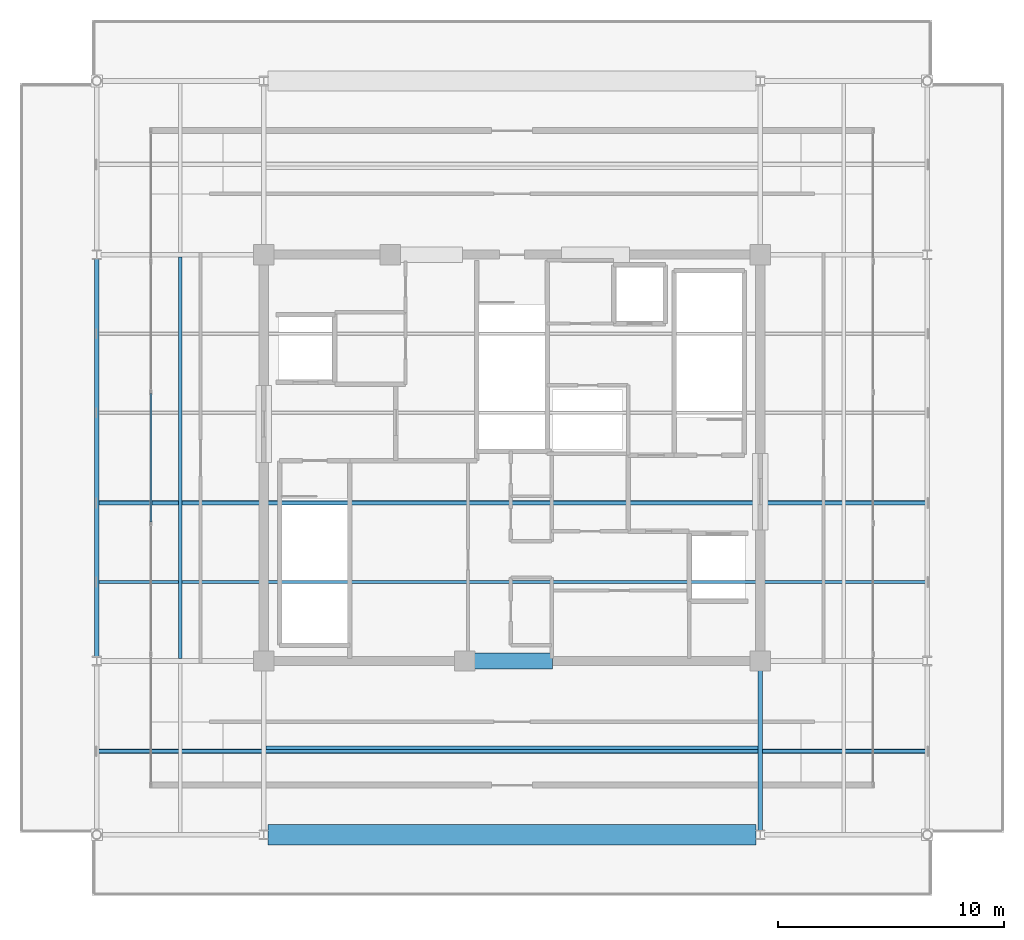
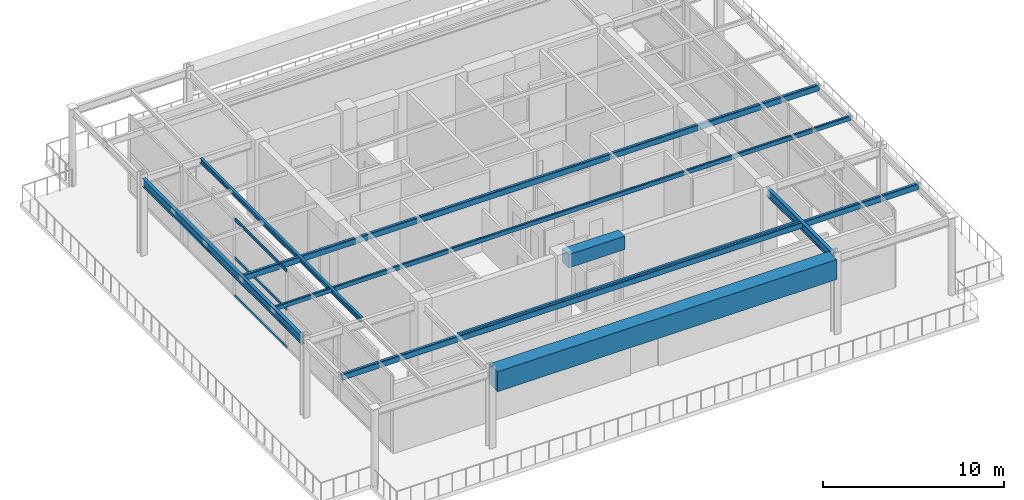
# One storey, part 3 of 16: 6 beams, 6 members, 1 element without a shape of its own.
"""IFC4 building model written with IfcOpenShell, lengths in metres."""

from ifc_helpers import new_model, si_unit, direction, frame, origin, origin_2d, place, context, subcontext, project, spatial, rectangle, hollow_rectangle, i_section, extrude, material, material_profile, profile_set, type_object, element, aggregate, save


model = new_model("IFC4")

# Units and contexts
model_context = context("Model", 3, precision=1e-05, world=origin(), true_north=direction((0.0, 1.0)))
body_context = subcontext(model_context, "Body", "Model", "MODEL_VIEW")
ifc_project = project(units=[si_unit("LENGTHUNIT", "METRE"), si_unit("AREAUNIT", "SQUARE_METRE"), si_unit("VOLUMEUNIT", "CUBIC_METRE"), si_unit("PLANEANGLEUNIT", "RADIAN"), si_unit("MASSUNIT", "GRAM", prefix="KILO")], contexts=[model_context])

# Site, building, storey
site_placement = place(None, origin())
site = spatial("IfcSite", under=ifc_project, at=site_placement, CompositionType="ELEMENT")
building_placement = place(site_placement, origin())
building = spatial("IfcBuilding", under=site, at=building_placement, Name="Kovane Verandah Tower", CompositionType="ELEMENT")
storey_placement = place(building_placement, frame((0.0, 0.0, 354.300048828125)))
storey = spatial("IfcBuildingStorey", under=building, at=storey_placement, Name="L82", CompositionType="ELEMENT", Elevation=354.300048828125)

# Beams
ifc_material_1 = material(Name="Concrete C60/75", Category="concrete")
ifc_material_profile_1 = material_profile(ifc_material_1, rectangle(XDim=0.699951171875, YDim=0.89990234375, at=origin_2d()), Name="RCB700x900")
ifc_profile_set_1 = profile_set([ifc_material_profile_1], Name="Concrete C60/75")
beam_type_1 = type_object("IfcBeamType", Name="BM-LINTEL-700x900", PredefinedType="LINTEL", material=ifc_profile_set_1)
beam_1_placement = place(storey_placement, frame((38.199951171875, 18.5, 4.7900390625), z_axis=(1.0, 0.0, 0.0), x_axis=(0.0, 1.0, 0.0)))
element("IfcBeam", 1, at=beam_1_placement, inside=storey, type_object=beam_type_1, Name="L82 Core Coupling Lintel CL-S", PredefinedType="LINTEL", context=body_context, shape_type="SweptSolid", body=[
    extrude(rectangle(XDim=0.699951171875, YDim=0.89990234375, at=origin_2d()), origin(), (0.0, 0.0, 1.0), 3.60009765625),
])
ifc_material_2 = material(Name="Concrete C80/95", Category="concrete")
ifc_material_profile_2 = material_profile(ifc_material_2, rectangle(XDim=0.89990234375, YDim=1.35009765625, at=origin_2d()), Name="RCB900x1350")
ifc_profile_set_2 = profile_set([ifc_material_profile_2], Name="Concrete C80/95")
beam_type_2 = type_object("IfcBeamType", Name="BM-TR-900x1350", PredefinedType="BEAM", material=ifc_profile_set_2)
beam_2_placement = place(storey_placement, frame((29.179931640625, 10.800048828125, 4.56494140625), z_axis=(1.0, 0.0, 0.0), x_axis=(0.0, 1.0, 0.0)))
element("IfcBeam", 2, at=beam_2_placement, inside=storey, type_object=beam_type_2, Name="L82 Primary Tower Girder G-RS2", PredefinedType="BEAM", context=body_context, shape_type="SweptSolid", body=[
    extrude(rectangle(XDim=0.89990234375, YDim=1.35009765625, at=origin_2d()), origin(), (0.0, 0.0, 1.0), 21.64013671875),
])
ifc_material_3 = material(Name="Steel S355", Category="steel")
ifc_material_profile_3 = material_profile(ifc_material_3, i_section(OverallWidth=0.2119140625, OverallDepth=0.54443359375, WebThickness=0.0126953125, FlangeThickness=0.021240234375, FilletRadius=0.0126953125, at=origin_2d()), Name="UB533x210x122")
ifc_profile_set_3 = profile_set([ifc_material_profile_3], Name="Steel S355")
beam_type_3 = type_object("IfcBeamType", Name="BM-UB533x122", PredefinedType="BEAM", material=ifc_profile_set_3)
beam_3_placement = place(storey_placement, frame((21.60009765625, 18.679931640625, 4.9677734375), z_axis=(0.0, 1.0, 0.0), x_axis=(-1.0, 0.0, 0.0)))
element("IfcBeam", 3, at=beam_3_placement, inside=storey, type_object=beam_type_3, Name="L82 Primary Tower Girder G-RW2", PredefinedType="BEAM", context=body_context, shape_type="SweptSolid", body=[
    extrude(i_section(OverallWidth=0.2119140625, OverallDepth=0.54443359375, WebThickness=0.0126953125, FlangeThickness=0.021240234375, FilletRadius=0.0126953125, at=origin_2d()), origin(), (0.0, 0.0, 1.0), 17.64013671875),
])
beam_4_placement = place(storey_placement, frame((51.0, 18.320068359375, 4.9677734375), z_axis=(0.0, -1.0, 0.0), x_axis=(1.0, 0.0, 0.0)))
element("IfcBeam", 4, at=beam_4_placement, inside=storey, type_object=beam_type_3, Name="L82 Primary Tower Girder G-S2", PredefinedType="BEAM", context=body_context, shape_type="SweptSolid", body=[
    extrude(i_section(OverallWidth=0.2119140625, OverallDepth=0.54443359375, WebThickness=0.0126953125, FlangeThickness=0.021240234375, FilletRadius=0.0126953125, at=origin_2d()), origin(), (0.0, 0.0, 1.0), 7.340087890625),
])

# Curtain wall, members
ifc_material_4 = material(Name="Champagne Anodised Aluminium Frame with Low-E Clear Laminated Glass", Category="aluminium")
curtain_wall_type = type_object("IfcCurtainWallType", Name="CW-SYS-06-CROWN", PredefinedType="NOTDEFINED", material=ifc_material_4)
curtain_wall_placement = place(storey_placement, origin())
curtain_wall = element("IfcCurtainWall", 5, at=curtain_wall_placement, inside=storey, type_object=curtain_wall_type, Name="L82 Crown Enclosure Curtain Wall W", PredefinedType="NOTDEFINED")
ifc_material_5 = material(Name="Champagne Anodised Aluminium 6063-T6", Category="aluminium")
ifc_material_profile_4 = material_profile(ifc_material_5, hollow_rectangle(XDim=0.0849609375, YDim=0.18994140625, WallThickness=0.00390625, at=origin_2d()), Name="AL85x190x4")
ifc_profile_set_4 = profile_set([ifc_material_profile_4], Name="Champagne Anodised Aluminium 6063-T6")
member_type_1 = type_object("IfcMemberType", Name="CW-TRN-85x190", PredefinedType="USERDEFINED", material=ifc_profile_set_4)
member_1_placement = place(storey_placement, frame((24.0, 30.35009765625, 0.050048828125), z_axis=(0.0, -1.0, 0.0), x_axis=(1.0, 0.0, 0.0)))
member_1 = element("IfcMember", 6, at=member_1_placement, type_object=member_type_1, Name="L82 Crown Enclosure Curtain Wall W Transom TB Bay 3", ObjectType="TRANSOM", PredefinedType="USERDEFINED", context=body_context, shape_type="SweptSolid", body=[
    extrude(hollow_rectangle(XDim=0.0849609375, YDim=0.18994140625, WallThickness=0.00390625, at=origin_2d()), origin(), (0.0, 0.0, 1.0), 5.7001953125),
])
member_2_placement = place(storey_placement, frame((24.0, 30.35009765625, 2.619873046875), z_axis=(0.0, -1.0, 0.0), x_axis=(1.0, 0.0, 0.0)))
member_2 = element("IfcMember", 7, at=member_2_placement, type_object=member_type_1, Name="L82 Crown Enclosure Curtain Wall W Transom TM Bay 3", ObjectType="TRANSOM", PredefinedType="USERDEFINED", context=body_context, shape_type="SweptSolid", body=[
    extrude(hollow_rectangle(XDim=0.0849609375, YDim=0.18994140625, WallThickness=0.00390625, at=origin_2d()), origin(), (0.0, 0.0, 1.0), 5.7001953125),
])
member_3_placement = place(storey_placement, frame((24.0, 30.35009765625, 5.18994140625), z_axis=(0.0, -1.0, 0.0), x_axis=(1.0, 0.0, 0.0)))
member_3 = element("IfcMember", 8, at=member_3_placement, type_object=member_type_1, Name="L82 Crown Enclosure Curtain Wall W Transom TT Bay 3", ObjectType="TRANSOM", PredefinedType="USERDEFINED", context=body_context, shape_type="SweptSolid", body=[
    extrude(hollow_rectangle(XDim=0.0849609375, YDim=0.18994140625, WallThickness=0.00390625, at=origin_2d()), origin(), (0.0, 0.0, 1.0), 5.7001953125),
])
aggregate(curtain_wall, [member_1, member_2, member_3])

# Beams
ifc_material_profile_5 = material_profile(ifc_material_3, i_section(OverallWidth=0.1669921875, OverallDepth=0.310302734375, WebThickness=0.0078125, FlangeThickness=0.013671875, FilletRadius=0.0087890625, at=origin_2d()), Name="UB305x165x54")
ifc_profile_set_5 = profile_set([ifc_material_profile_5], Name="Steel S355")
beam_type_4 = type_object("IfcBeamType", Name="JST-UB305x54", PredefinedType="JOIST", material=ifc_profile_set_5)
beam_5_placement = place(storey_placement, frame((29.10400390625, 14.64990234375, 5.084716796875), z_axis=(1.0, 0.0, 0.0), x_axis=(0.0, 1.0, 0.0)))
element("IfcBeam", 9, at=beam_5_placement, inside=storey, type_object=beam_type_4, Name="L82 Secondary Composite Joist J-S1", PredefinedType="JOIST", context=body_context, shape_type="SweptSolid", body=[
    extrude(i_section(OverallWidth=0.1669921875, OverallDepth=0.310302734375, WebThickness=0.0078125, FlangeThickness=0.013671875, FilletRadius=0.0087890625, at=origin_2d()), origin(), (0.0, 0.0, 1.0), 21.7919921875),
])
beam_6_placement = place(storey_placement, frame((25.300048828125, 18.60400390625, 5.084716796875), z_axis=(0.0, 1.0, 0.0), x_axis=(-1.0, 0.0, 0.0)))
element("IfcBeam", 10, at=beam_6_placement, inside=storey, type_object=beam_type_4, Name="L82 Secondary Composite Joist J-W1", PredefinedType="JOIST", context=body_context, shape_type="SweptSolid", body=[
    extrude(i_section(OverallWidth=0.1669921875, OverallDepth=0.310302734375, WebThickness=0.0078125, FlangeThickness=0.013671875, FilletRadius=0.0087890625, at=origin_2d()), origin(), (0.0, 0.0, 1.0), 17.7919921875),
])

# Members
ifc_material_profile_6 = material_profile(ifc_material_3, hollow_rectangle(XDim=0.14990234375, YDim=0.300048828125, WallThickness=0.012451171875, InnerFilletRadius=0.012451171875, OuterFilletRadius=0.02490234375, at=origin_2d()), Name="RHS300x150x12.5")
ifc_profile_set_6 = profile_set([ifc_material_profile_6], Name="Steel S355")
member_type_2 = type_object("IfcMemberType", Name="MEM-PUR-RHS300", PredefinedType="PURLIN", material=ifc_profile_set_6)
member_4_placement = place(storey_placement, frame((21.60009765625, 22.0, 5.0849609375), z_axis=(1.0, 0.0, 0.0), x_axis=(0.0, 1.0, 0.0)))
element("IfcMember", 11, at=member_4_placement, inside=storey, type_object=member_type_2, Name="Observation Canopy Roof Purlin 3", PredefinedType="PURLIN", context=body_context, shape_type="SweptSolid", body=[
    extrude(hollow_rectangle(XDim=0.14990234375, YDim=0.300048828125, WallThickness=0.012451171875, InnerFilletRadius=0.012451171875, OuterFilletRadius=0.02490234375, at=origin_2d()), origin(), (0.0, 0.0, 1.0), 36.7998046875),
])
ifc_material_profile_7 = material_profile(ifc_material_3, hollow_rectangle(XDim=0.199951171875, YDim=0.39990234375, WallThickness=0.01611328125, InnerFilletRadius=0.01611328125, OuterFilletRadius=0.031982421875, at=origin_2d()), Name="RHS400x200x16")
ifc_profile_set_7 = profile_set([ifc_material_profile_7], Name="Steel S355")
member_type_3 = type_object("IfcMemberType", Name="MEM-PUR-RHS400", PredefinedType="PURLIN", material=ifc_profile_set_7)
for number, where, z_axis, x_axis, name in (
    (12, (21.60009765625, 14.5, 5.034912109375), (1.0, 0.0, 0.0), (0.0, 1.0, 0.0), "Observation Canopy Roof Purlin 1"),
    (13, (21.60009765625, 25.5, 5.034912109375), (1.0, 0.0, 0.0), (0.0, 1.0, 0.0), "Observation Canopy Roof Purlin 5"),
):
    element("IfcMember", number, at=place(storey_placement, frame(where, z_axis=z_axis, x_axis=x_axis)), inside=storey, type_object=member_type_3, Name=name, PredefinedType="PURLIN", context=body_context, shape_type="SweptSolid", body=[
        extrude(hollow_rectangle(XDim=0.199951171875, YDim=0.39990234375, WallThickness=0.01611328125, InnerFilletRadius=0.01611328125, OuterFilletRadius=0.031982421875, at=origin_2d()), origin(), (0.0, 0.0, 1.0), 36.7998046875),
    ])

save(model, "model.ifc")
